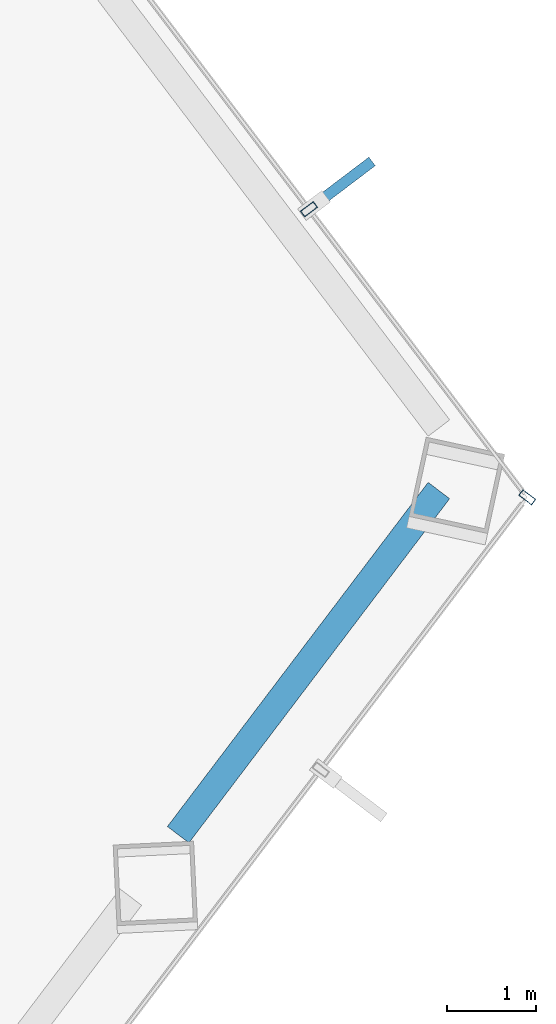
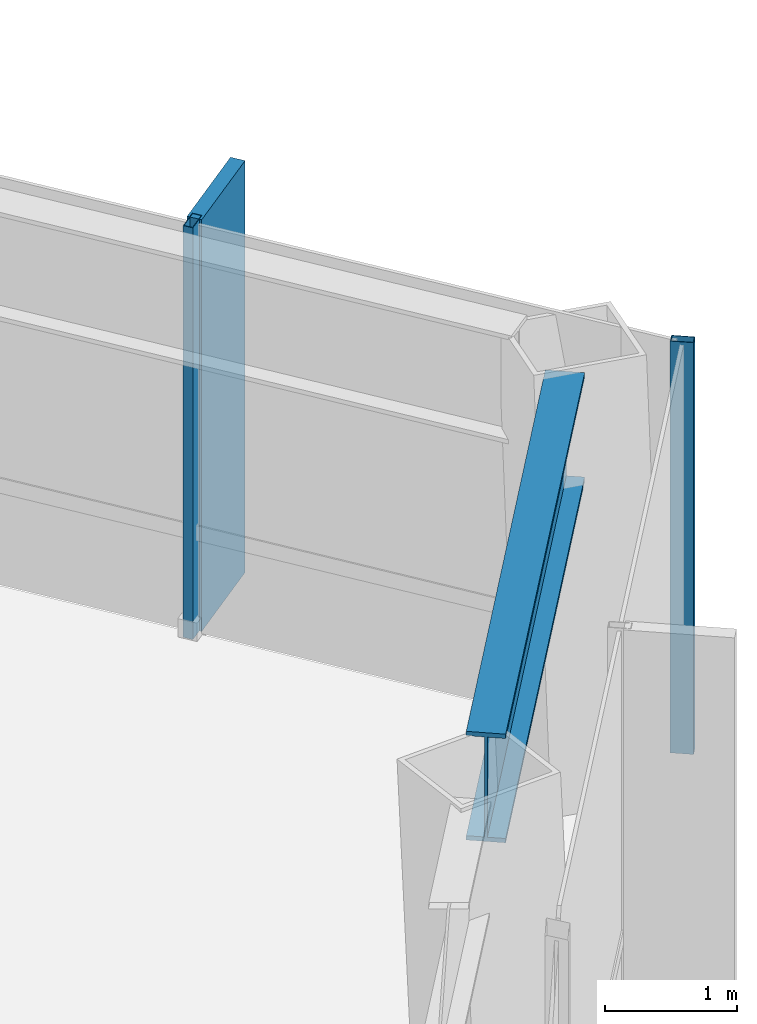
# One storey, part 19 of 26: 3 members, 1 beam, 2 elements without a shape of their own.
"""IFC4 building model written with IfcOpenShell, lengths in metres."""

from ifc_helpers import new_model, si_unit, direction, frame, origin, origin_2d, place, context, subcontext, project, spatial, rectangle, hollow_rectangle, i_section, extrude, material, layer, layer_set, material_profile, profile_set, type_object, element, aggregate, save


model = new_model("IFC4")

# Units and contexts
model_context = context("Model", 3, precision=1e-05, world=origin(), true_north=direction((0.0, 1.0)))
body_context = subcontext(model_context, "Body", "Model", "MODEL_VIEW")
ifc_project = project(units=[si_unit("LENGTHUNIT", "METRE"), si_unit("AREAUNIT", "SQUARE_METRE"), si_unit("VOLUMEUNIT", "CUBIC_METRE"), si_unit("PLANEANGLEUNIT", "RADIAN"), si_unit("MASSUNIT", "GRAM", prefix="KILO")], contexts=[model_context])

# Site, building, storey
site_placement = place(None, origin())
site = spatial("IfcSite", under=ifc_project, at=site_placement, CompositionType="ELEMENT")
building_placement = place(site_placement, origin())
building = spatial("IfcBuilding", under=site, at=building_placement, Name="Zarrinselat Tower", CompositionType="ELEMENT")
storey_placement = place(building_placement, frame((0.0, 0.0, 92.820068359375)))
storey = spatial("IfcBuildingStorey", under=building, at=storey_placement, Name="L22", CompositionType="ELEMENT", Elevation=92.820068359375)

# Beam
ifc_material_1 = material(Name="Steel S460M", Category="steel")
ifc_material_profile_1 = material_profile(ifc_material_1, i_section(OverallWidth=0.302001953125, OverallDepth=1.008056640625, WebThickness=0.02099609375, FlangeThickness=0.0400390625, at=origin_2d()), Name="HEM 1000")
ifc_profile_set_1 = profile_set([ifc_material_profile_1], Name="Steel S460M")
beam_type = type_object("IfcBeamType", Name="BM-HEM1000", PredefinedType="BEAM", material=ifc_profile_set_1)
beam_placement = place(storey_placement, frame((58.147705078125, 32.96337890625, 3.31591796875), z_axis=(0.603852819431, 0.797095836437, 0.0), x_axis=(-0.797095836437, 0.603852819431, 0.0)))
element("IfcBeam", 1, at=beam_placement, inside=storey, type_object=beam_type, Name="L22 Perimeter Spandrel Girder SP14", PredefinedType="BEAM", context=body_context, shape_type="SweptSolid", body=[
    extrude(i_section(OverallWidth=0.302001953125, OverallDepth=1.008056640625, WebThickness=0.02099609375, FlangeThickness=0.0400390625, at=origin_2d()), origin(), (0.0, 0.0, 1.0), 4.827392578125),
])

# Curtain wall, member
ifc_material_2 = material(Name="Extruded Aluminium Alloy EN AW-6063 T6", Category="aluminium")
ifc_layer = layer(ifc_material_2, 0.18505859375)
ifc_layer_set = layer_set([ifc_layer], Name="Extruded Aluminium Alloy EN AW-6063 T6")
curtain_wall_type = type_object("IfcCurtainWallType", Name="CWS-OFF", PredefinedType="NOTDEFINED", material=ifc_layer_set)
curtain_wall_1_placement = place(storey_placement, origin())
curtain_wall_1 = element("IfcCurtainWall", 2, at=curtain_wall_1_placement, inside=storey, type_object=curtain_wall_type, Name="L22 Unitised Curtain Wall CW-L22-E05", PredefinedType="NOTDEFINED")
ifc_material_3 = material(Name="Extruded Aluminium Alloy EN AW-6063 T6", Category="aluminium")
ifc_material_profile_2 = material_profile(ifc_material_3, hollow_rectangle(XDim=0.080078125, YDim=0.179931640625, WallThickness=0.0048828125, at=origin_2d()), Name="RHS 180x80x5")
ifc_profile_set_2 = profile_set([ifc_material_profile_2], Name="Extruded Aluminium Alloy EN AW-6063 T6")
member_type_1 = type_object("IfcMemberType", Name="MEM-CW-MUL", PredefinedType="MULLION", material=ifc_profile_set_2)
member_1_placement = place(storey_placement, frame((62.05029296875, 36.735107421875, 0.0), z_axis=(0.0, 0.0, 1.0), x_axis=(0.603855672579, 0.797093674981, 0.0)))
member_1 = element("IfcMember", 3, at=member_1_placement, type_object=member_type_1, Name="CW-L22-E05 Mullion 6", PredefinedType="MULLION", context=body_context, shape_type="SweptSolid", body=[
    extrude(hollow_rectangle(XDim=0.080078125, YDim=0.179931640625, WallThickness=0.0048828125, at=origin_2d()), origin(), (0.0, 0.0, 1.0), 3.81982421875),
])
aggregate(curtain_wall_1, [member_1])

# Curtain wall, members
curtain_wall_2_placement = place(storey_placement, origin())
curtain_wall_2 = element("IfcCurtainWall", 4, at=curtain_wall_2_placement, inside=storey, type_object=curtain_wall_type, Name="L22 Unitised Curtain Wall CW-L22-E06", PredefinedType="NOTDEFINED")
member_2_placement = place(storey_placement, frame((59.610595703125, 39.95556640625, 0.0), z_axis=(0.0, 0.0, 1.0), x_axis=(-0.603858164533, 0.797091787141, 0.0)))
member_2 = element("IfcMember", 5, at=member_2_placement, type_object=member_type_1, Name="CW-L22-E06 Mullion 1", PredefinedType="MULLION", context=body_context, shape_type="SweptSolid", body=[
    extrude(hollow_rectangle(XDim=0.080078125, YDim=0.179931640625, WallThickness=0.0048828125, at=origin_2d()), origin(), (0.0, 0.0, 1.0), 3.81982421875),
])
ifc_material_4 = material(Name="Honed Cream Travertine Stone", Category="masonry")
ifc_material_profile_3 = material_profile(ifc_material_4, rectangle(XDim=0.1201171875, YDim=0.85009765625, at=origin_2d()), Name="FIN 850x120")
ifc_profile_set_3 = profile_set([ifc_material_profile_3], Name="Honed Cream Travertine Stone")
member_type_2 = type_object("IfcMemberType", Name="MEM-STONE-FIN", PredefinedType="USERDEFINED", material=ifc_profile_set_3)
member_3_placement = place(storey_placement, frame((59.977294921875, 40.2333984375, 0.0), z_axis=(0.0, 0.0, 1.0), x_axis=(0.603858164533, -0.797091787141, 0.0)))
member_3 = element("IfcMember", 6, at=member_3_placement, type_object=member_type_2, Name="L22 Stone Shading Fin CW-L22-E06-01", ObjectType="FIN", PredefinedType="USERDEFINED", context=body_context, shape_type="SweptSolid", body=[
    extrude(rectangle(XDim=0.1201171875, YDim=0.85009765625, at=origin_2d()), origin(), (0.0, 0.0, 1.0), 3.81982421875),
])
aggregate(curtain_wall_2, [member_2, member_3])

save(model, "model.ifc")
